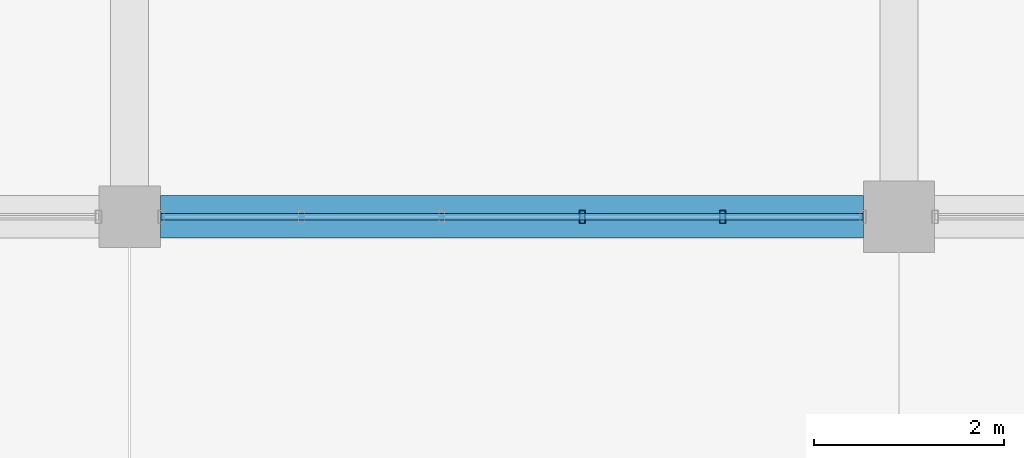
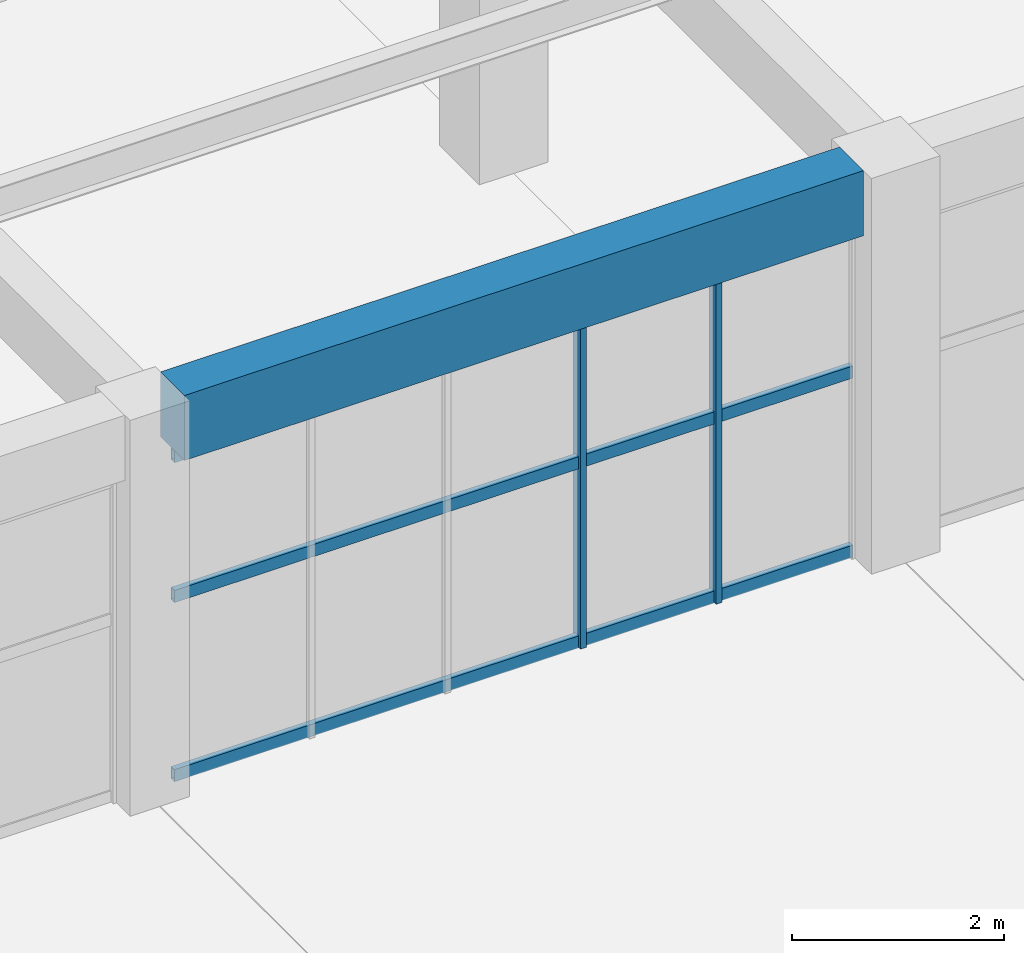
# One storey, part 38 of 161: 5 members, 1 beam, 1 element without a shape of its own.
"""IFC4 building model written with IfcOpenShell, lengths in metres."""

import ifcopenshell
import ifcopenshell.guid

model = None  # the IFC model being written
_history = None  # IfcOwnerHistory: only IFC2X3 demands one
_inside = {}  # id of a spatial element -> (the spatial element, [elements in it])
_under = {}  # id of a project, library or spatial element -> (it, [spatial elements below it])
_declared = {}  # id of a project -> (the project, [libraries it declares])
_typed = {}  # id of a type object -> (the type object, [elements of that type])
_made_of = {}  # id of a material, layer set ... -> (it, [elements and type objects made of it])


def new_model(schema):
    """Start an empty IFC model of exactly this schema.

    Asked for "IFC4X3", IfcOpenShell would pick the latest addendum, in which some entities
    have other attributes; the version numbers below select the first issue.
    IFC2X3 requires an IfcOwnerHistory on every rooted entity: one is made here for all.
    """
    global model, _history
    if schema == "IFC4X3":
        model = ifcopenshell.file(schema_version=(4, 3, 0, 0))
    else:
        model = ifcopenshell.file(schema=schema)
    _inside.clear()
    _under.clear()
    _declared.clear()
    _typed.clear()
    _made_of.clear()
    _history = None
    if model.schema == "IFC2X3":
        org = make("IfcOrganization", Name="unknown")
        user = make(
            "IfcPersonAndOrganization",
            ThePerson=make("IfcPerson", FamilyName="unknown"),
            TheOrganization=org,
        )
        app = make(
            "IfcApplication",
            ApplicationDeveloper=org,
            Version="unknown",
            ApplicationFullName="unknown",
            ApplicationIdentifier="unknown",
        )
        _history = make(
            "IfcOwnerHistory",
            OwningUser=user,
            OwningApplication=app,
            ChangeAction="ADDED",
            CreationDate=0,
        )
    return model


def make(cls, **values):
    """One entity of the class cls with the attributes given. An attribute that is None is left unset."""
    return model.create_entity(
        cls, **{name: value for name, value in values.items() if value is not None}
    )


def rooted(cls, **values):
    """An entity with a GlobalId (a new one), such as an element, a storey or a relation."""
    return make(cls, GlobalId=ifcopenshell.guid.new(), OwnerHistory=_history, **values)


def si_unit(unit_type, name, prefix=None):
    """IfcSIUnit, for example si_unit("LENGTHUNIT", "METRE", prefix="MILLI")."""
    return make("IfcSIUnit", UnitType=unit_type, Prefix=prefix, Name=name)


def assignment(units):
    """IfcUnitAssignment: the units of a project."""
    return None if units is None else make("IfcUnitAssignment", Units=units)


def point(xyz):
    """IfcCartesianPoint."""
    return None if xyz is None else make("IfcCartesianPoint", Coordinates=xyz)


def direction(xyz):
    """IfcDirection."""
    return None if xyz is None else make("IfcDirection", DirectionRatios=xyz)


def frame(location, z_axis=None, x_axis=None):
    """IfcAxis2Placement3D, a coordinate frame: its origin and axes. An axis left out is left unset."""
    return make(
        "IfcAxis2Placement3D",
        Location=point(location),
        Axis=direction(z_axis),
        RefDirection=direction(x_axis),
    )


def frame_2d(location, x_axis=None):
    """IfcAxis2Placement2D, a coordinate frame in the plane: its origin and x axis."""
    return make(
        "IfcAxis2Placement2D", Location=point(location), RefDirection=direction(x_axis)
    )


def origin():
    """The frame at (0, 0, 0) with its axes left unset."""
    return frame((0.0, 0.0, 0.0))


def origin_2d():
    """The frame at (0, 0) in the plane with its x axis left unset."""
    return frame_2d((0.0, 0.0))


def place(relative_to, where):
    """IfcLocalPlacement: puts the frame where relative to a parent placement (None: the world)."""
    return make(
        "IfcLocalPlacement", PlacementRelTo=relative_to, RelativePlacement=where
    )


def context(
    kind, dimensions, precision=None, world=None, true_north=None, identifier=None
):
    """IfcGeometricRepresentationContext, for example the 3D "Model" context."""
    return make(
        "IfcGeometricRepresentationContext",
        ContextIdentifier=identifier,
        ContextType=kind,
        CoordinateSpaceDimension=dimensions,
        Precision=precision,
        WorldCoordinateSystem=world,
        TrueNorth=true_north,
    )


def subcontext(parent, identifier, kind, view, scale=None):
    """IfcGeometricRepresentationSubContext, for example "Body" below "Model"."""
    return make(
        "IfcGeometricRepresentationSubContext",
        ContextIdentifier=identifier,
        ContextType=kind,
        ParentContext=parent,
        TargetScale=scale,
        TargetView=view,
    )


def project(units=None, contexts=None):
    """IfcProject with its units and contexts."""
    return rooted(
        "IfcProject",
        Name="project",
        RepresentationContexts=contexts,
        UnitsInContext=assignment(units),
    )


def spatial(cls, under=None, at=None, **own):
    """A site, building, storey or space (cls), placed at a placement, below another one or the project."""
    s = rooted(cls, ObjectPlacement=at, **own)
    if under is not None:
        _under.setdefault(under.id(), (under, []))[1].append(s)
    return s


def profile(cls, at=None, kind="AREA", **sizes):
    """A parametric profile (cls). Its sizes go by their IFC names, for example OverallWidth=200.0."""
    return make(cls, ProfileType=kind, Position=at, **sizes)


def rectangle(**sizes):
    """IfcRectangleProfileDef."""
    return profile("IfcRectangleProfileDef", **sizes)


def hollow_rectangle(**sizes):
    """IfcRectangleHollowProfileDef."""
    return profile("IfcRectangleHollowProfileDef", **sizes)


def extrude(swept, where, along, depth):
    """IfcExtrudedAreaSolid: the profile swept, set in the frame where, extruded along a direction by depth."""
    return make(
        "IfcExtrudedAreaSolid",
        SweptArea=swept,
        Position=where,
        ExtrudedDirection=direction(along),
        Depth=depth,
    )


def shape(context_of_items, identifier, shape_type, items):
    """IfcShapeRepresentation: the items that make up one representation, for example the "Body"."""
    return make(
        "IfcShapeRepresentation",
        ContextOfItems=context_of_items,
        RepresentationIdentifier=identifier,
        RepresentationType=shape_type,
        Items=items,
    )


def material(Name=None, Category=None):
    """IfcMaterial."""
    return make("IfcMaterial", Name=Name, Category=Category)


def material_profile(
    of_material, cross_section, Name=None, Category=None, Priority=None
):
    """IfcMaterialProfile: a cross section and its material."""
    return make(
        "IfcMaterialProfile",
        Name=Name,
        Material=of_material,
        Profile=cross_section,
        Priority=Priority,
        Category=Category,
    )


def profile_set(profiles, Name=None, composite=None):
    """IfcMaterialProfileSet."""
    return make(
        "IfcMaterialProfileSet",
        Name=Name,
        MaterialProfiles=profiles,
        CompositeProfile=composite,
    )


def made_of(thing, what):
    """Note that an element or type object is made of a material, layer set ...; save() writes the relation."""
    if what is not None:
        _made_of.setdefault(what.id(), (what, []))[1].append(thing)
    return thing


def type_object(cls, material=None, **own):
    """A type object (cls), such as IfcWallType, which elements share."""
    return made_of(rooted(cls, **own), material)


def element(
    cls,
    number,
    at=None,
    inside=None,
    cuts=None,
    type_object=None,
    material=None,
    context=None,
    identifier="Body",
    shape_type=None,
    held_by="IfcProductDefinitionShape",
    body=None,
    shapes=None,
    **own,
):
    """One element of the class cls, such as IfcWall. Its Tag is "e" and its number.

    at: its placement. inside: the storey or other place that contains it. cuts: it is an
    opening in that element (IfcRelVoidsElement). A single representation is given by context,
    identifier, shape_type and body (its items); several are given by shapes. held_by: the class
    of the entity that holds the representations. save() writes the other relations.
    """
    e = rooted(cls, Tag="e%d" % number, ObjectPlacement=at, **own)
    if body is not None:
        shapes = [shape(context, identifier, shape_type, body)]
    if shapes is not None:
        e.Representation = make(held_by, Representations=shapes)
    if inside is not None:
        _inside.setdefault(inside.id(), (inside, []))[1].append(e)
    if cuts is not None:
        rooted(
            "IfcRelVoidsElement", RelatingBuildingElement=cuts, RelatedOpeningElement=e
        )
    if type_object is not None:
        _typed.setdefault(type_object.id(), (type_object, []))[1].append(e)
    return made_of(e, material)


def aggregate(whole, parts):
    """IfcRelAggregates: a whole, such as a stair, and the parts it consists of."""
    return rooted("IfcRelAggregates", RelatingObject=whole, RelatedObjects=parts)


def save(model, path):
    """Write the relations noted so far, then the file.

    IfcRelAggregates (storeys below a building ...), IfcRelContainedInSpatialStructure (elements
    in a storey), IfcRelDefinesByType, IfcRelAssociatesMaterial and IfcRelDeclares: one each for
    every whole, place, type object, material and project.
    """
    for whole, parts in _under.values():
        aggregate(whole, parts)
    for where, things in _inside.values():
        rooted(
            "IfcRelContainedInSpatialStructure",
            RelatedElements=things,
            RelatingStructure=where,
        )
    for kind, things in _typed.values():
        rooted("IfcRelDefinesByType", RelatedObjects=things, RelatingType=kind)
    for what, things in _made_of.values():
        rooted("IfcRelAssociatesMaterial", RelatedObjects=things, RelatingMaterial=what)
    for by, libraries in _declared.values():
        rooted("IfcRelDeclares", RelatingContext=by, RelatedDefinitions=libraries)
    model.write(path)


model = new_model("IFC4")

# Units and contexts
model_context = context("Model", 3, precision=1e-05, world=origin(), true_north=direction((0.0, 1.0)))
body_context = subcontext(model_context, "Body", "Model", "MODEL_VIEW")
ifc_project = project(units=[si_unit("LENGTHUNIT", "METRE"), si_unit("AREAUNIT", "SQUARE_METRE"), si_unit("VOLUMEUNIT", "CUBIC_METRE"), si_unit("PLANEANGLEUNIT", "RADIAN"), si_unit("MASSUNIT", "GRAM", prefix="KILO")], contexts=[model_context])

# Site, building, storey
site_placement = place(None, origin())
site = spatial("IfcSite", under=ifc_project, at=site_placement, CompositionType="ELEMENT")
building_placement = place(site_placement, origin())
building = spatial("IfcBuilding", under=site, at=building_placement, Name="Cimatlan Art Gallery", CompositionType="ELEMENT")
storey_placement = place(building_placement, frame((0.0, 0.0, 5.39990234375)))
storey = spatial("IfcBuildingStorey", under=building, at=storey_placement, Name="L01", CompositionType="ELEMENT", Elevation=5.39990234375)

# Beam
ifc_material_1 = material(Name="Concrete C40/50", Category="concrete")
ifc_material_profile_1 = material_profile(ifc_material_1, rectangle(XDim=0.449951171875, YDim=0.75, at=origin_2d()), Name="RC450X750")
ifc_profile_set_1 = profile_set([ifc_material_profile_1], Name="Concrete C40/50")
beam_type = type_object("IfcBeamType", Name="BM-RC-450X750", PredefinedType="BEAM", material=ifc_profile_set_1)
beam_placement = place(storey_placement, frame((91.425048828125, 23.89990234375, 4.18505859375), z_axis=(1.0, 0.0, 0.0), x_axis=(0.0, 1.0, 0.0)))
element("IfcBeam", 1, at=beam_placement, inside=storey, type_object=beam_type, Name="BM-X-L01-11-03", PredefinedType="BEAM", context=body_context, shape_type="SweptSolid", body=[
    extrude(rectangle(XDim=0.449951171875, YDim=0.75, at=origin_2d()), origin(), (0.0, 0.0, 1.0), 7.39990234375),
])

# Curtain wall, members
ifc_material_2 = material(Name="Anodised bronze unitised curtain wall")
curtain_wall_type = type_object("IfcCurtainWallType", Name="CW-V-07392X03795-B5", PredefinedType="NOTDEFINED", material=ifc_material_2)
curtain_wall_placement = place(storey_placement, origin())
curtain_wall = element("IfcCurtainWall", 2, at=curtain_wall_placement, inside=storey, type_object=curtain_wall_type, Name="CW-L01-11-03-S", PredefinedType="NOTDEFINED")
ifc_material_3 = material(Name="Anodised bronze aluminium 6063-T6", Category="aluminium")
ifc_material_profile_2 = material_profile(ifc_material_3, hollow_rectangle(XDim=0.06494140625, YDim=0.139892578125, WallThickness=0.00390625, at=origin_2d()), Name="ALU65X140X4")
ifc_profile_set_2 = profile_set([ifc_material_profile_2], Name="Anodised bronze aluminium 6063-T6")
member_type_1 = type_object("IfcMemberType", Name="CW-MUL-140", PredefinedType="MULLION", material=ifc_profile_set_2)
member_1_placement = place(storey_placement, frame((97.342529296875, 23.89990234375, 0.0), z_axis=(0.0, 0.0, 1.0), x_axis=(1.0, 0.0, 0.0)))
member_1 = element("IfcMember", 3, at=member_1_placement, type_object=member_type_1, Name="CW-L01-11-03-S-M2", PredefinedType="MULLION", context=body_context, shape_type="SweptSolid", body=[
    extrude(hollow_rectangle(XDim=0.06494140625, YDim=0.139892578125, WallThickness=0.00390625, at=origin_2d()), origin(), (0.0, 0.0, 1.0), 3.795166015625),
])
member_2_placement = place(storey_placement, frame((95.8642578125, 23.89990234375, 0.0), z_axis=(0.0, 0.0, 1.0), x_axis=(1.0, 0.0, 0.0)))
member_2 = element("IfcMember", 4, at=member_2_placement, type_object=member_type_1, Name="CW-L01-11-03-S-M3", PredefinedType="MULLION", context=body_context, shape_type="SweptSolid", body=[
    extrude(hollow_rectangle(XDim=0.06494140625, YDim=0.139892578125, WallThickness=0.00390625, at=origin_2d()), origin(), (0.0, 0.0, 1.0), 3.795166015625),
])
ifc_material_profile_3 = material_profile(ifc_material_3, hollow_rectangle(XDim=0.06494140625, YDim=0.139892578125, WallThickness=0.00390625, at=origin_2d()), Name="ALU65X140X4")
ifc_profile_set_3 = profile_set([ifc_material_profile_3], Name="Anodised bronze aluminium 6063-T6")
member_type_2 = type_object("IfcMemberType", Name="CW-TRN-140", PredefinedType="USERDEFINED", material=ifc_profile_set_3)
member_3_placement = place(storey_placement, frame((98.821044921875, 23.89990234375, 0.06005859375), z_axis=(-1.0, 0.0, 0.0), x_axis=(0.0, -1.0, 0.0)))
member_3 = element("IfcMember", 5, at=member_3_placement, type_object=member_type_2, Name="CW-L01-11-03-S-T1", ObjectType="TRANSOM", PredefinedType="USERDEFINED", context=body_context, shape_type="SweptSolid", body=[
    extrude(hollow_rectangle(XDim=0.06494140625, YDim=0.139892578125, WallThickness=0.00390625, at=origin_2d()), origin(), (0.0, 0.0, 1.0), 7.39208984375),
])
member_4_placement = place(storey_placement, frame((98.821044921875, 23.89990234375, 2.125244140625), z_axis=(-1.0, 0.0, 0.0), x_axis=(0.0, -1.0, 0.0)))
member_4 = element("IfcMember", 6, at=member_4_placement, type_object=member_type_2, Name="CW-L01-11-03-S-T2", ObjectType="TRANSOM", PredefinedType="USERDEFINED", context=body_context, shape_type="SweptSolid", body=[
    extrude(hollow_rectangle(XDim=0.06494140625, YDim=0.139892578125, WallThickness=0.00390625, at=origin_2d()), origin(), (0.0, 0.0, 1.0), 7.39208984375),
])
member_5_placement = place(storey_placement, frame((98.821044921875, 23.89990234375, 3.735107421875), z_axis=(-1.0, 0.0, 0.0), x_axis=(0.0, -1.0, 0.0)))
member_5 = element("IfcMember", 7, at=member_5_placement, type_object=member_type_2, Name="CW-L01-11-03-S-T3", ObjectType="TRANSOM", PredefinedType="USERDEFINED", context=body_context, shape_type="SweptSolid", body=[
    extrude(hollow_rectangle(XDim=0.06494140625, YDim=0.139892578125, WallThickness=0.00390625, at=origin_2d()), origin(), (0.0, 0.0, 1.0), 7.39208984375),
])
aggregate(curtain_wall, [member_1, member_2, member_3, member_4, member_5])

save(model, "model.ifc")
